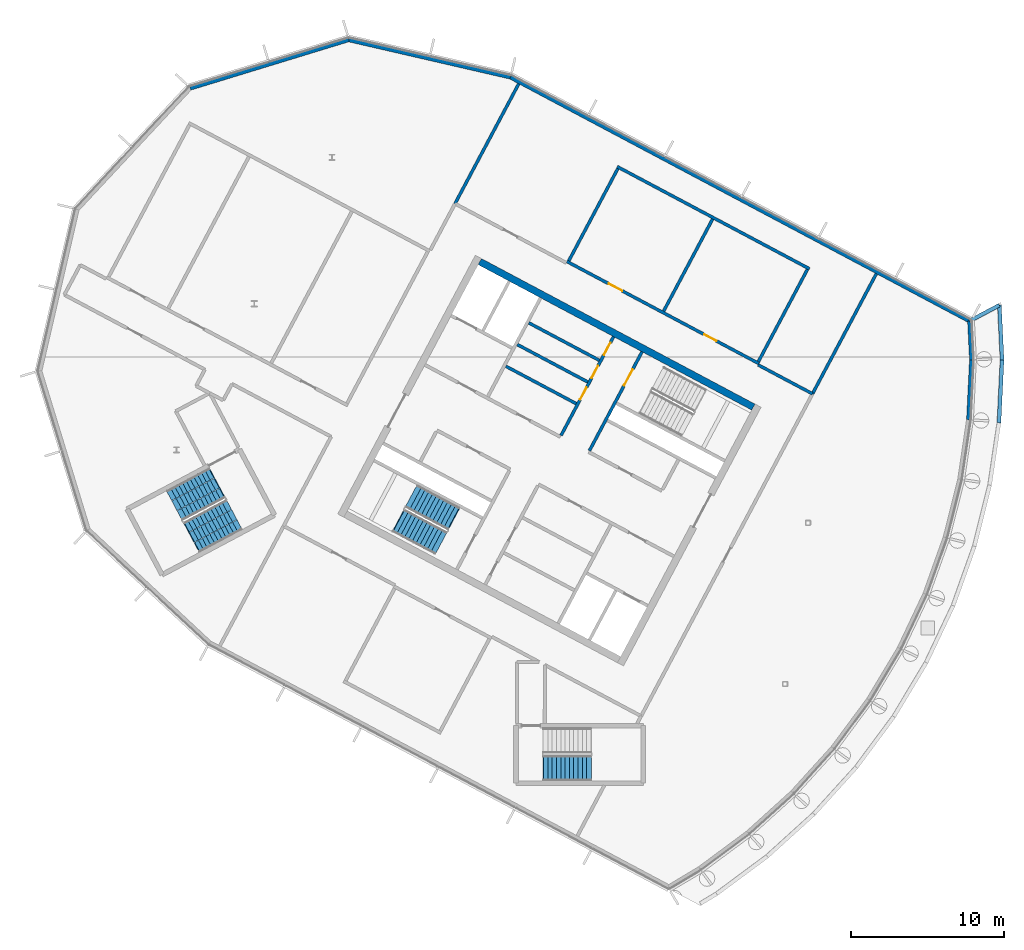
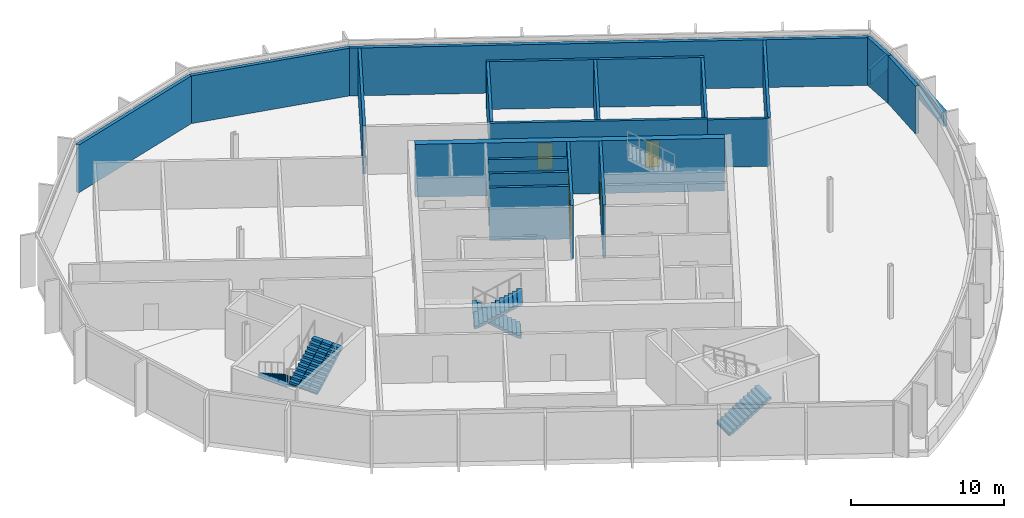
# One storey, part 8 of 16: 22 walls, 6 doors, 5 stair flights, 6 openings, 3 elements without a shape of their own.
"""IFC4 building model written with IfcOpenShell, lengths in metres."""

from ifc_helpers import new_model, si_unit, direction, frame, frame_2d, origin, place, context, subcontext, project, spatial, polyline, rectangle, outline, extrude, material, layer, layer_set, type_object, element, fill, aggregate, save


model = new_model("IFC4")

# Units and contexts
model_context = context("Model", 3, precision=1e-05, world=origin(), true_north=direction((0.0, 1.0)))
body_context = subcontext(model_context, "Body", "Model", "MODEL_VIEW")
ifc_project = project(units=[si_unit("LENGTHUNIT", "METRE"), si_unit("AREAUNIT", "SQUARE_METRE"), si_unit("VOLUMEUNIT", "CUBIC_METRE"), si_unit("PLANEANGLEUNIT", "RADIAN"), si_unit("MASSUNIT", "GRAM", prefix="KILO")], contexts=[model_context])

# Site, building, storey
site_placement = place(None, origin())
site = spatial("IfcSite", under=ifc_project, at=site_placement, CompositionType="ELEMENT")
building_placement = place(site_placement, origin())
building = spatial("IfcBuilding", under=site, at=building_placement, Name="Cormorant Relay Tower", CompositionType="ELEMENT")
storey_placement = place(building_placement, frame((0.0, 0.0, 340.800048828125)))
storey = spatial("IfcBuildingStorey", under=building, at=storey_placement, Name="C4", CompositionType="ELEMENT", Elevation=340.800048828125)

# Walls
ifc_material_1 = material(Name="Concrete 40 MPa", Category="concrete")
ifc_layer_1 = layer(ifc_material_1, 0.199951171875)
ifc_layer_set_1 = layer_set([ifc_layer_1], Name="Core internal wall 200")
wall_type_1 = type_object("IfcWallType", Name="Core internal wall 200", PredefinedType="SOLIDWALL", material=ifc_layer_set_1)
for number, where, z_axis, x_axis, name in (
    (1, (-24.120849609375, 21.093017578125, 0.0), (0.0, 0.0, 1.0), (-0.882953967957, 0.469459572775, 0.0), "C4 core A shaft and room wall"),
    (2, (-24.8720703125, 19.680419921875, 0.0), (0.0, 0.0, 1.0), (-0.882953967957, 0.469459572775, 0.0), "C4 core A shaft and room wall"),
):
    element("IfcWall", number, at=place(storey_placement, frame(where, z_axis=z_axis, x_axis=x_axis)), inside=storey, type_object=wall_type_1, Name=name, PredefinedType="SOLIDWALL", context=body_context, shape_type="SweptSolid", body=[
        extrude(rectangle(XDim=5.199951171875, YDim=0.199951171875, at=frame_2d((2.60009765625, 0.0))), origin(), (0.0, 0.0, 1.0), 4.199951171875),
    ])

# Wall, opening, door
ifc_material_2 = material(Name="Concrete 50 MPa", Category="concrete")
ifc_layer_2 = layer(ifc_material_2, 0.199951171875)
ifc_layer_set_2 = layer_set([ifc_layer_2], Name="Core shaft wall 200")
wall_type_2 = type_object("IfcWallType", Name="Core shaft wall 200", PredefinedType="SHEAR", material=ifc_layer_set_2)
wall_1_placement = place(storey_placement, frame((-21.333251953125, 21.6494140625, 0.0), z_axis=(0.0, 0.0, 1.0), x_axis=(-0.469494272526, -0.882935517501, 0.0)))
wall_1 = element("IfcWall", 3, at=wall_1_placement, inside=storey, type_object=wall_type_2, Name="C4 core A shaft wall", PredefinedType="SHEAR", context=body_context, shape_type="SweptSolid", body=[
    extrude(rectangle(XDim=7.2998046875, YDim=0.199951171875, at=frame_2d((3.64990234375, 0.0))), origin(), (0.0, 0.0, 1.0), 4.199951171875),
])
opening_1_placement = place(wall_1_placement, frame((1.300048828125, 0.0, 0.0)))
opening_1 = element("IfcOpeningElement", 4, at=opening_1_placement, cuts=wall_1, Name="Opening CDB-044", PredefinedType="OPENING", context=body_context, shape_type="SweptSolid", body=[
    extrude(rectangle(XDim=1.199951171875, YDim=2.10009765625, at=frame_2d((0.60009765625, 1.050048828125))), frame((0.0, 0.10986328125, 0.0), z_axis=(0.0, -1.0, 0.0), x_axis=(1.0, 0.0, 0.0)), (0.0, 0.0, 1.0), 0.219970703125),
])
ifc_material_3 = material(Name="Steel fire door", Category="steel")
door_type_1 = type_object("IfcDoorType", Name="Core stair door 1200x2100", OperationType="SINGLE_SWING_LEFT", PredefinedType="DOOR", material=ifc_material_3)
door_1_placement = place(opening_1_placement, origin())
door_1 = element("IfcDoor", 5, at=door_1_placement, inside=storey, type_object=door_type_1, Name="Core stair door 1200x2100", OperationType="SINGLE_SWING_RIGHT", OverallHeight=2.10009765625, OverallWidth=1.199951171875, PredefinedType="DOOR", context=body_context, shape_type="SweptSolid", body=[
    extrude(rectangle(XDim=1.199951171875, YDim=2.10009765625, at=frame_2d((0.60009765625, 1.050048828125))), frame((0.0, 0.02490234375, 0.0), z_axis=(0.0, -1.0, 0.0), x_axis=(1.0, 0.0, 0.0)), (0.0, 0.0, 1.0), 0.050048828125),
])
fill(opening_1, door_1)

# Wall, openings, doors
wall_2_placement = place(storey_placement, frame((-23.1875, 22.635498046875, 0.0), z_axis=(0.0, 0.0, 1.0), x_axis=(-0.469454336211, -0.882956752176, 0.0)))
wall_2 = element("IfcWall", 6, at=wall_2_placement, inside=storey, type_object=wall_type_2, Name="C4 core A shaft wall", PredefinedType="SHEAR", context=body_context, shape_type="SweptSolid", body=[
    extrude(rectangle(XDim=7.300048828125, YDim=0.199951171875, at=frame_2d((3.64990234375, 0.0))), origin(), (0.0, 0.0, 1.0), 4.199951171875),
])
opening_2_placement = place(wall_2_placement, frame((0.449951171875, 0.0, 0.0)))
opening_2 = element("IfcOpeningElement", 7, at=opening_2_placement, cuts=wall_2, Name="Opening CDD-384", PredefinedType="OPENING", context=body_context, shape_type="SweptSolid", body=[
    extrude(rectangle(XDim=0.89990234375, YDim=2.10009765625, at=frame_2d((0.449951171875, 1.050048828125))), frame((0.0, 0.10986328125, 0.0), z_axis=(0.0, -1.0, 0.0), x_axis=(1.0, 0.0, 0.0)), (0.0, 0.0, 1.0), 0.219970703125),
])
opening_3_placement = place(wall_2_placement, frame((2.14990234375, 0.0, 0.0)))
opening_3 = element("IfcOpeningElement", 8, at=opening_3_placement, cuts=wall_2, Name="Opening CDD-385", PredefinedType="OPENING", context=body_context, shape_type="SweptSolid", body=[
    extrude(rectangle(XDim=0.89990234375, YDim=2.10009765625, at=frame_2d((0.449951171875, 1.050048828125))), frame((0.0, 0.10986328125, 0.0), z_axis=(0.0, -1.0, 0.0), x_axis=(1.0, 0.0, 0.0)), (0.0, 0.0, 1.0), 0.219970703125),
])
opening_4_placement = place(wall_2_placement, frame((3.75, 0.0, 0.0)))
opening_4 = element("IfcOpeningElement", 9, at=opening_4_placement, cuts=wall_2, Name="Opening CDD-386", PredefinedType="OPENING", context=body_context, shape_type="SweptSolid", body=[
    extrude(rectangle(XDim=0.89990234375, YDim=2.10009765625, at=frame_2d((0.449951171875, 1.050048828125))), frame((0.0, 0.10986328125, 0.0), z_axis=(0.0, -1.0, 0.0), x_axis=(1.0, 0.0, 0.0)), (0.0, 0.0, 1.0), 0.219970703125),
])
ifc_material_4 = material(Name="Steel fire door", Category="steel")
door_type_2 = type_object("IfcDoorType", Name="Core room door 900x2100", OperationType="SINGLE_SWING_LEFT", PredefinedType="DOOR", material=ifc_material_4)
door_2_placement = place(opening_2_placement, origin())
door_2 = element("IfcDoor", 10, at=door_2_placement, inside=storey, type_object=door_type_2, Name="Core room door 900x2100", OperationType="SINGLE_SWING_LEFT", OverallHeight=2.10009765625, OverallWidth=0.89990234375, PredefinedType="DOOR", context=body_context, shape_type="SweptSolid", body=[
    extrude(rectangle(XDim=0.89990234375, YDim=2.10009765625, at=frame_2d((0.449951171875, 1.050048828125))), frame((0.0, 0.02490234375, 0.0), z_axis=(0.0, -1.0, 0.0), x_axis=(1.0, 0.0, 0.0)), (0.0, 0.0, 1.0), 0.050048828125),
])
fill(opening_2, door_2)
door_3_placement = place(opening_3_placement, origin())
door_3 = element("IfcDoor", 11, at=door_3_placement, inside=storey, type_object=door_type_2, Name="Core room door 900x2100", OperationType="SINGLE_SWING_LEFT", OverallHeight=2.10009765625, OverallWidth=0.89990234375, PredefinedType="DOOR", context=body_context, shape_type="SweptSolid", body=[
    extrude(rectangle(XDim=0.89990234375, YDim=2.10009765625, at=frame_2d((0.449951171875, 1.050048828125))), frame((0.0, 0.02490234375, 0.0), z_axis=(0.0, -1.0, 0.0), x_axis=(1.0, 0.0, 0.0)), (0.0, 0.0, 1.0), 0.050048828125),
])
fill(opening_3, door_3)
door_4_placement = place(opening_4_placement, origin())
door_4 = element("IfcDoor", 12, at=door_4_placement, inside=storey, type_object=door_type_2, Name="Core room door 900x2100", OperationType="SINGLE_SWING_LEFT", OverallHeight=2.10009765625, OverallWidth=0.89990234375, PredefinedType="DOOR", context=body_context, shape_type="SweptSolid", body=[
    extrude(rectangle(XDim=0.89990234375, YDim=2.10009765625, at=frame_2d((0.449951171875, 1.050048828125))), frame((0.0, 0.02490234375, 0.0), z_axis=(0.0, -1.0, 0.0), x_axis=(1.0, 0.0, 0.0)), (0.0, 0.0, 1.0), 0.050048828125),
])
fill(opening_4, door_4)

# Walls
wall_3_placement = place(storey_placement, frame((-25.623046875, 18.267578125, 0.0), z_axis=(0.0, 0.0, 1.0), x_axis=(-0.882953967957, 0.469459572775, 0.0)))
element("IfcWall", 13, at=wall_3_placement, inside=storey, type_object=wall_type_2, Name="C4 core A shaft wall", PredefinedType="SHEAR", context=body_context, shape_type="SweptSolid", body=[
    extrude(rectangle(XDim=5.199951171875, YDim=0.199951171875, at=frame_2d((2.60009765625, 0.0))), origin(), (0.0, 0.0, 1.0), 4.199951171875),
])
ifc_material_5 = material(Name="Concrete 50 MPa", Category="concrete")
ifc_layer_3 = layer(ifc_material_5, 0.449951171875)
ifc_layer_set_3 = layer_set([ifc_layer_3], Name="Core wall 450")
wall_type_3 = type_object("IfcWallType", Name="Core wall 450", PredefinedType="SHEAR", material=ifc_layer_set_3)
wall_4_placement = place(storey_placement, frame((-14.07568359375, 18.04541015625, 0.0), z_axis=(0.0, 0.0, 1.0), x_axis=(-0.882947755831, 0.46947125628, 0.0)))
element("IfcWall", 14, at=wall_4_placement, inside=storey, type_object=wall_type_3, Name="C4 core A wall", PredefinedType="SHEAR", context=body_context, shape_type="SweptSolid", body=[
    extrude(rectangle(XDim=20.2001953125, YDim=0.449951171875, at=frame_2d((10.10009765625, 0.0))), origin(), (0.0, 0.0, 1.0), 4.199951171875),
])
ifc_material_6 = material(Name="Concrete 30 MPa block wall", Category="concrete")
ifc_layer_4 = layer(ifc_material_6, 0.199951171875)
ifc_layer_set_4 = layer_set([ifc_layer_4], Name="Crown plant room wall 200")
wall_type_4 = type_object("IfcWallType", Name="Crown plant room wall 200", PredefinedType="PARTITIONING", material=ifc_layer_set_4)
wall_5_placement = place(storey_placement, frame((-10.41650390625, 27.057373046875, 0.0), z_axis=(0.0, 0.0, 1.0), x_axis=(-0.882947150019, 0.469472395646, 0.0)))
element("IfcWall", 15, at=wall_5_placement, inside=storey, type_object=wall_type_4, Name="Plant room wall", PredefinedType="PARTITIONING", context=body_context, shape_type="SweptSolid", body=[
    extrude(rectangle(XDim=14.199951171875, YDim=0.199951171875, at=frame_2d((7.10009765625, 0.0))), origin(), (0.0, 0.0, 1.0), 3.7998046875),
])

# Wall, openings, doors
wall_6_placement = place(storey_placement, frame((-13.702880859375, 20.876708984375, 0.0), z_axis=(0.0, 0.0, 1.0), x_axis=(-0.882947150019, 0.469472395646, 0.0)))
wall_6 = element("IfcWall", 16, at=wall_6_placement, inside=storey, type_object=wall_type_4, Name="Plant room wall", PredefinedType="PARTITIONING", context=body_context, shape_type="SweptSolid", body=[
    extrude(rectangle(XDim=14.199951171875, YDim=0.199951171875, at=frame_2d((7.10009765625, 0.0))), origin(), (0.0, 0.0, 1.0), 3.7998046875),
])
opening_5_placement = place(wall_6_placement, frame((3.14990234375, 0.0, 0.0)))
opening_5 = element("IfcOpeningElement", 17, at=opening_5_placement, cuts=wall_6, Name="Opening CRD4-001", PredefinedType="OPENING", context=body_context, shape_type="SweptSolid", body=[
    extrude(rectangle(XDim=0.89990234375, YDim=2.10009765625, at=frame_2d((0.449951171875, 1.050048828125))), frame((0.0, 0.10986328125, 0.0), z_axis=(0.0, -1.0, 0.0), x_axis=(1.0, 0.0, 0.0)), (0.0, 0.0, 1.0), 0.219970703125),
])
opening_6_placement = place(wall_6_placement, frame((10.10009765625, 0.0, 0.0)))
opening_6 = element("IfcOpeningElement", 18, at=opening_6_placement, cuts=wall_6, Name="Opening CRD1-002", PredefinedType="OPENING", context=body_context, shape_type="SweptSolid", body=[
    extrude(rectangle(XDim=1.0, YDim=2.10009765625, at=frame_2d((0.5, 1.050048828125))), frame((0.0, 0.10986328125, 0.0), z_axis=(0.0, -1.0, 0.0), x_axis=(1.0, 0.0, 0.0)), (0.0, 0.0, 1.0), 0.219970703125),
])
ifc_material_7 = material(Name="Galvanised sheet steel ASTM A653 framed door leaf", Category="steel")
door_type_3 = type_object("IfcDoorType", Name="Crown door single 1000", OperationType="SINGLE_SWING_LEFT", PredefinedType="DOOR", material=ifc_material_7)
door_5_placement = place(opening_6_placement, frame((1.0, 0.0, 0.0), z_axis=(0.0, 0.0, 1.0), x_axis=(-1.0, 0.0, 0.0)))
door_5 = element("IfcDoor", 19, at=door_5_placement, inside=storey, type_object=door_type_3, Name="Chiller plant room door", OperationType="SINGLE_SWING_RIGHT", OverallHeight=2.10009765625, OverallWidth=1.0, PredefinedType="DOOR", context=body_context, shape_type="SweptSolid", body=[
    extrude(rectangle(XDim=1.0, YDim=2.10009765625, at=frame_2d((0.5, 1.050048828125))), frame((0.0, 0.02490234375, 0.0), z_axis=(0.0, -1.0, 0.0), x_axis=(1.0, 0.0, 0.0)), (0.0, 0.0, 1.0), 0.050048828125),
])
fill(opening_6, door_5)
ifc_material_8 = material(Name="Galvanised sheet steel ASTM A653 framed door leaf", Category="steel")
door_type_4 = type_object("IfcDoorType", Name="Crown door single 900", OperationType="SINGLE_SWING_LEFT", PredefinedType="DOOR", material=ifc_material_8)
door_6_placement = place(opening_5_placement, frame((0.89990234375, 0.0, 0.0), z_axis=(0.0, 0.0, 1.0), x_axis=(-1.0, 0.0, 0.0)))
door_6 = element("IfcDoor", 20, at=door_6_placement, inside=storey, type_object=door_type_4, Name="Pump room door", OperationType="SINGLE_SWING_RIGHT", OverallHeight=2.10009765625, OverallWidth=0.89990234375, PredefinedType="DOOR", context=body_context, shape_type="SweptSolid", body=[
    extrude(rectangle(XDim=0.89990234375, YDim=2.10009765625, at=frame_2d((0.449951171875, 1.050048828125))), frame((0.0, 0.02490234375, 0.0), z_axis=(0.0, -1.0, 0.0), x_axis=(1.0, 0.0, 0.0)), (0.0, 0.0, 1.0), 0.050048828125),
])
fill(opening_5, door_6)

# Walls
for number, where, z_axis, x_axis, name in (
    (21, (-10.5517578125, 27.01611328125, 0.0), (0.0, 0.0, 1.0), (-0.469462324734, -0.882952504756, 0.0), "Plant room wall"),
    (22, (-16.732421875, 30.302490234375, 0.0), (0.0, 0.0, 1.0), (-0.469462324734, -0.882952504756, 0.0), "Plant room wall"),
):
    element("IfcWall", number, at=place(storey_placement, frame(where, z_axis=z_axis, x_axis=x_axis)), inside=storey, type_object=wall_type_4, Name=name, PredefinedType="PARTITIONING", context=body_context, shape_type="SweptSolid", body=[
        extrude(rectangle(XDim=6.800048828125, YDim=0.199951171875, at=frame_2d((3.39990234375, 0.0))), origin(), (0.0, 0.0, 1.0), 3.7998046875),
    ])
wall_7_placement = place(storey_placement, frame((-22.9130859375, 33.588623046875, 0.0), z_axis=(0.0, 0.0, 1.0), x_axis=(-0.469477207229, -0.882944591632, 0.0)))
element("IfcWall", 23, at=wall_7_placement, inside=storey, type_object=wall_type_4, Name="Plant room wall", PredefinedType="PARTITIONING", context=body_context, shape_type="SweptSolid", body=[
    extrude(rectangle(XDim=6.7998046875, YDim=0.199951171875, at=frame_2d((3.39990234375, 0.0))), origin(), (0.0, 0.0, 1.0), 3.7998046875),
])
wall_8_placement = place(storey_placement, frame((-13.767578125, 20.7978515625, 0.0), z_axis=(0.0, 0.0, 1.0), x_axis=(0.882960769226, -0.469446780805, 0.0)))
element("IfcWall", 24, at=wall_8_placement, inside=storey, type_object=wall_type_4, Name="Plant room wall", PredefinedType="PARTITIONING", context=body_context, shape_type="SweptSolid", body=[
    extrude(rectangle(XDim=4.02001953125, YDim=0.199951171875, at=frame_2d((2.010009765625, 0.0))), origin(), (0.0, 0.0, 1.0), 3.7998046875),
])
wall_9_placement = place(storey_placement, frame((-29.3740234375, 39.119140625, 0.0), z_axis=(0.0, 0.0, 1.0), x_axis=(-0.469467804358, -0.88294959124, 0.0)))
element("IfcWall", 25, at=wall_9_placement, inside=storey, type_object=wall_type_4, Name="Plant room wall", PredefinedType="PARTITIONING", context=body_context, shape_type="SweptSolid", body=[
    extrude(rectangle(XDim=8.86962890625, YDim=0.199951171875, at=frame_2d((4.434814453125, 0.0))), origin(), (0.0, 0.0, 1.0), 3.7998046875),
])
wall_10_placement = place(storey_placement, frame((-6.057861328125, 26.737060546875, 0.0), z_axis=(0.0, 0.0, 1.0), x_axis=(-0.46947272598, -0.882946974377, 0.0)))
element("IfcWall", 26, at=wall_10_placement, inside=storey, type_object=wall_type_4, Name="Plant room wall", PredefinedType="PARTITIONING", context=body_context, shape_type="SweptSolid", body=[
    extrude(rectangle(XDim=8.863525390625, YDim=0.199951171875, at=frame_2d((4.431640625, 0.0))), origin(), (0.0, 0.0, 1.0), 3.7998046875),
])
ifc_material_9 = material(Name="Bronze cladding on Concrete 30 MPa block wall", Category="concrete")
ifc_layer_5 = layer(ifc_material_9, 0.25)
ifc_layer_set_5 = layer_set([ifc_layer_5], Name="Crown wall 250")
wall_type_5 = type_object("IfcWallType", Name="Crown wall 250", PredefinedType="STANDARD", material=ifc_layer_set_5)
wall_11_placement = place(storey_placement, frame((-50.79248046875, 38.825439453125, 0.0), z_axis=(0.0, 0.0, 1.0), x_axis=(0.95630419349, 0.292373544482, 0.0)))
element("IfcWall", 27, at=wall_11_placement, inside=storey, type_object=wall_type_5, Name="Crown wall C4", PredefinedType="STANDARD", context=body_context, shape_type="SweptSolid", body=[
    extrude(rectangle(XDim=10.8037109375, YDim=0.25, at=frame_2d((5.40185546875, 0.0))), origin(), (0.0, 0.0, 1.0), 3.7998046875),
])
wall_12_placement = place(storey_placement, frame((-40.4609375, 41.984130859375, 0.0), z_axis=(0.0, 0.0, 1.0), x_axis=(0.974369134847, -0.224955082309, 0.0)))
element("IfcWall", 28, at=wall_12_placement, inside=storey, type_object=wall_type_5, Name="Crown wall C4", PredefinedType="STANDARD", context=body_context, shape_type="SweptSolid", body=[
    extrude(rectangle(XDim=10.8203125, YDim=0.25, at=frame_2d((5.41015625, 0.0))), origin(), (0.0, 0.0, 1.0), 3.7998046875),
])
wall_13_placement = place(storey_placement, frame((-29.91796875, 39.550048828125, 0.0), z_axis=(0.0, 0.0, 1.0), x_axis=(0.88318378771, -0.469027075047, 0.0)))
element("IfcWall", 29, at=wall_13_placement, inside=storey, type_object=wall_type_5, Name="Crown wall C4", PredefinedType="STANDARD", context=body_context, shape_type="SweptSolid", body=[
    extrude(rectangle(XDim=33.8955078125, YDim=0.25, at=frame_2d((16.94775390625, 0.0))), origin(), (0.0, 0.0, 1.0), 3.7998046875),
])
wall_14_placement = place(storey_placement, frame((0.01806640625, 23.652099609375, 0.0), z_axis=(0.0, 0.0, 1.0), x_axis=(0.049042019316, -0.998796716225, 0.0)))
element("IfcWall", 30, at=wall_14_placement, inside=storey, type_object=wall_type_5, Name="Crown wall C4", PredefinedType="STANDARD", context=body_context, shape_type="SweptSolid", body=[
    extrude(rectangle(XDim=2.52880859375, YDim=0.25, at=frame_2d((1.264404296875, 0.0))), origin(), (0.0, 0.0, 1.0), 3.7998046875),
])
wall_15_placement = place(storey_placement, frame((0.14208984375, 21.126220703125, 0.0), z_axis=(0.0, 0.0, 1.0), x_axis=(-0.049038313571, -0.998796898174, 0.0)))
element("IfcWall", 31, at=wall_15_placement, inside=storey, type_object=wall_type_5, Name="Crown wall C4", PredefinedType="STANDARD", context=body_context, shape_type="SweptSolid", body=[
    extrude(rectangle(XDim=3.9130859375, YDim=0.25, at=frame_2d((1.95654296875, 0.0))), origin(), (0.0, 0.0, 1.0), 3.7998046875),
])
ifc_material_10 = material(Name="Bronze cladding on Concrete 30 MPa block wall", Category="concrete")
ifc_layer_6 = layer(ifc_material_10, 0.25)
ifc_layer_set_6 = layer_set([ifc_layer_6], Name="Parapet 250")
wall_type_6 = type_object("IfcWallType", Name="Parapet 250", PredefinedType="PARAPET", material=ifc_layer_set_6)
wall_16_placement = place(storey_placement, frame((0.01806640625, 23.652099609375, 0.0), z_axis=(0.0, 0.0, 1.0), x_axis=(0.882955298869, 0.469457069602, 0.0)))
element("IfcWall", 32, at=wall_16_placement, inside=storey, type_object=wall_type_6, Name="Terrace parapet C3", PredefinedType="PARAPET", context=body_context, shape_type="SweptSolid", body=[
    extrude(rectangle(XDim=2.20751953125, YDim=0.25, at=frame_2d((1.103759765625, 0.0))), origin(), (0.0, 0.0, 1.0), 1.199951171875),
])
wall_17_placement = place(storey_placement, frame((1.96728515625, 24.6884765625, 0.0), z_axis=(0.0, 0.0, 1.0), x_axis=(0.049012370013, -0.998798171597, 0.0)))
element("IfcWall", 33, at=wall_17_placement, inside=storey, type_object=wall_type_6, Name="Terrace parapet C3", PredefinedType="PARAPET", context=body_context, shape_type="SweptSolid", body=[
    extrude(rectangle(XDim=3.566650390625, YDim=0.25, at=frame_2d((1.783203125, 0.0))), origin(), (0.0, 0.0, 1.0), 1.199951171875),
])
wall_18_placement = place(storey_placement, frame((2.14208984375, 21.126220703125, 0.0), z_axis=(0.0, 0.0, 1.0), x_axis=(-0.04901311334, -0.998798135121, 0.0)))
element("IfcWall", 34, at=wall_18_placement, inside=storey, type_object=wall_type_6, Name="Terrace parapet C3", PredefinedType="PARAPET", context=body_context, shape_type="SweptSolid", body=[
    extrude(rectangle(XDim=4.109375, YDim=0.25, at=frame_2d((2.0546875, 0.0))), origin(), (0.0, 0.0, 1.0), 1.199951171875),
])

# Stair, stair flights
ifc_material_11 = material(Name="Concrete 40 MPa", Category="concrete")
stair_type_1 = type_object("IfcStairType", Name="Exit stair 1500", PredefinedType="HALF_TURN_STAIR", material=ifc_material_11)
stair_1_placement = place(storey_placement, origin())
stair_1 = element("IfcStair", 35, at=stair_1_placement, inside=storey, type_object=stair_type_1, Name="C4 Stair", PredefinedType="HALF_TURN_STAIR")
ifc_material_12 = material(Name="Concrete 40 MPa", Category="concrete")
stair_flight_type_1 = type_object("IfcStairFlightType", Name="Exit stair flight 1650", PredefinedType="STRAIGHT", material=ifc_material_12)
stair_flight_1_placement = place(storey_placement, frame((-33.62841796875, 10.773681640625, 0.0), z_axis=(0.0, 0.0, 1.0), x_axis=(-0.882947592859, 0.469471562786, 0.0)))
stair_flight_1 = element("IfcStairFlight", 36, at=stair_flight_1_placement, type_object=stair_flight_type_1, Name="A2 flight 1", NumberOfRisers=12, NumberOfTreads=11, PredefinedType="STRAIGHT", RiserHeight=0.175, TreadLength=0.28, context=body_context, shape_type="SweptSolid", body=[
    extrude(outline(polyline([(-0.050048828125, -0.080078125), (-0.050048828125, 0.0), (0.0, 0.0), (0.0, 0.175048828125), (0.280029296875, 0.175048828125), (0.280029296875, 0.35009765625), (0.56005859375, 0.35009765625), (0.56005859375, 0.52490234375), (0.840087890625, 0.52490234375), (0.840087890625, 0.699951171875), (1.1201171875, 0.699951171875), (1.1201171875, 0.875), (1.39990234375, 0.875), (1.39990234375, 1.050048828125), (1.679931640625, 1.050048828125), (1.679931640625, 1.22509765625), (1.9599609375, 1.22509765625), (1.9599609375, 1.39990234375), (2.239990234375, 1.39990234375), (2.239990234375, 1.574951171875), (2.52001953125, 1.574951171875), (2.52001953125, 1.75), (2.800048828125, 1.75), (2.800048828125, 1.925048828125), (3.080078125, 1.925048828125), (3.130126953125, 1.925048828125), (3.130126953125, 1.748291015625), (3.080078125, 1.748291015625), (0.28271484375, 0.0), (-0.050048828125, -0.080078125)])), frame((0.0, 0.824951171875, 0.0), z_axis=(0.0, -1.0, 0.0), x_axis=(1.0, 0.0, 0.0)), (0.0, 0.0, 1.0), 1.64990234375),
])
stair_flight_2_placement = place(storey_placement, frame((-37.19287109375, 10.63037109375, 2.099853515625), z_axis=(0.0, 0.0, 1.0), x_axis=(0.882947592859, -0.469471562786, 0.0)))
stair_flight_2 = element("IfcStairFlight", 37, at=stair_flight_2_placement, type_object=stair_flight_type_1, Name="A2 flight 2", NumberOfRisers=12, NumberOfTreads=11, PredefinedType="STRAIGHT", RiserHeight=0.175, TreadLength=0.28, context=body_context, shape_type="SweptSolid", body=[
    extrude(outline(polyline([(-0.050048828125, -0.080078125), (-0.050048828125, 0.0), (0.0, 0.0), (0.0, 0.175048828125), (0.280029296875, 0.175048828125), (0.280029296875, 0.35009765625), (0.56005859375, 0.35009765625), (0.56005859375, 0.52490234375), (0.840087890625, 0.52490234375), (0.840087890625, 0.699951171875), (1.1201171875, 0.699951171875), (1.1201171875, 0.875), (1.39990234375, 0.875), (1.39990234375, 1.050048828125), (1.679931640625, 1.050048828125), (1.679931640625, 1.22509765625), (1.9599609375, 1.22509765625), (1.9599609375, 1.39990234375), (2.239990234375, 1.39990234375), (2.239990234375, 1.574951171875), (2.52001953125, 1.574951171875), (2.52001953125, 1.75), (2.800048828125, 1.75), (2.800048828125, 1.925048828125), (3.080078125, 1.925048828125), (3.130126953125, 1.925048828125), (3.130126953125, 1.748291015625), (3.080078125, 1.748291015625), (0.28271484375, 0.0), (-0.050048828125, -0.080078125)])), frame((0.0, 0.824951171875, 0.0), z_axis=(0.0, -1.0, 0.0), x_axis=(1.0, 0.0, 0.0)), (0.0, 0.0, 1.0), 1.64990234375),
])
aggregate(stair_1, [stair_flight_1, stair_flight_2])

# Stair, stair flight
stair_2_placement = place(storey_placement, origin())
stair_2 = element("IfcStair", 38, at=stair_2_placement, inside=storey, type_object=stair_type_1, Name="C4 Stair", PredefinedType="HALF_TURN_STAIR")
stair_flight_3_placement = place(storey_placement, frame((-27.75, -5.5, 0.0), z_axis=(0.0, 0.0, 1.0), x_axis=(1.0, 0.0, 0.0)))
stair_flight_3 = element("IfcStairFlight", 39, at=stair_flight_3_placement, type_object=stair_flight_type_1, Name="RC1 flight 1", NumberOfRisers=12, NumberOfTreads=11, PredefinedType="STRAIGHT", RiserHeight=0.175, TreadLength=0.28, context=body_context, shape_type="SweptSolid", body=[
    extrude(outline(polyline([(-0.050048828125, -0.080078125), (-0.050048828125, 0.0), (0.0, 0.0), (0.0, 0.175048828125), (0.280029296875, 0.175048828125), (0.280029296875, 0.35009765625), (0.56005859375, 0.35009765625), (0.56005859375, 0.52490234375), (0.840087890625, 0.52490234375), (0.840087890625, 0.699951171875), (1.1201171875, 0.699951171875), (1.1201171875, 0.875), (1.39990234375, 0.875), (1.39990234375, 1.050048828125), (1.679931640625, 1.050048828125), (1.679931640625, 1.22509765625), (1.9599609375, 1.22509765625), (1.9599609375, 1.39990234375), (2.239990234375, 1.39990234375), (2.239990234375, 1.574951171875), (2.52001953125, 1.574951171875), (2.52001953125, 1.75), (2.800048828125, 1.75), (2.800048828125, 1.925048828125), (3.080078125, 1.925048828125), (3.130126953125, 1.925048828125), (3.130126953125, 1.748291015625), (3.080078125, 1.748291015625), (0.28271484375, 0.0), (-0.050048828125, -0.080078125)])), frame((0.0, 0.824951171875, 0.0), z_axis=(0.0, -1.0, 0.0), x_axis=(1.0, 0.0, 0.0)), (0.0, 0.0, 1.0), 1.64990234375),
])
aggregate(stair_2, [stair_flight_3])

# Stair, stair flights
ifc_material_13 = material(Name="Concrete 40 MPa", Category="concrete")
stair_type_2 = type_object("IfcStairType", Name="Remote exit stair 2200", PredefinedType="HALF_TURN_STAIR", material=ifc_material_13)
stair_3_placement = place(storey_placement, origin())
stair_3 = element("IfcStair", 40, at=stair_3_placement, inside=storey, type_object=stair_type_2, Name="C4 Stair", PredefinedType="HALF_TURN_STAIR")
ifc_material_14 = material(Name="Concrete 40 MPa", Category="concrete")
stair_flight_type_2 = type_object("IfcStairFlightType", Name="Remote exit stair flight 2200", PredefinedType="STRAIGHT", material=ifc_material_14)
stair_flight_4_placement = place(storey_placement, frame((-49.062255859375, 13.08251953125, 0.0), z_axis=(0.0, 0.0, 1.0), x_axis=(-0.882947502727, -0.4694717323, 0.0)))
stair_flight_4 = element("IfcStairFlight", 41, at=stair_flight_4_placement, type_object=stair_flight_type_2, Name="RP1 flight 1", NumberOfRisers=12, NumberOfTreads=11, PredefinedType="STRAIGHT", RiserHeight=0.175, TreadLength=0.28, context=body_context, shape_type="SweptSolid", body=[
    extrude(outline(polyline([(-0.050048828125, -0.080078125), (-0.050048828125, 0.0), (0.0, 0.0), (0.0, 0.175048828125), (0.280029296875, 0.175048828125), (0.280029296875, 0.35009765625), (0.56005859375, 0.35009765625), (0.56005859375, 0.52490234375), (0.840087890625, 0.52490234375), (0.840087890625, 0.699951171875), (1.1201171875, 0.699951171875), (1.1201171875, 0.875), (1.39990234375, 0.875), (1.39990234375, 1.050048828125), (1.679931640625, 1.050048828125), (1.679931640625, 1.22509765625), (1.9599609375, 1.22509765625), (1.9599609375, 1.39990234375), (2.239990234375, 1.39990234375), (2.239990234375, 1.574951171875), (2.52001953125, 1.574951171875), (2.52001953125, 1.75), (2.800048828125, 1.75), (2.800048828125, 1.925048828125), (3.080078125, 1.925048828125), (3.130126953125, 1.925048828125), (3.130126953125, 1.748291015625), (3.080078125, 1.748291015625), (0.28271484375, 0.0), (-0.050048828125, -0.080078125)])), frame((0.0, 1.10009765625, 0.0), z_axis=(0.0, -1.0, 0.0), x_axis=(1.0, 0.0, 0.0)), (0.0, 0.0, 1.0), 0.719970703125),
    extrude(outline(polyline([(-0.050048828125, -0.080078125), (-0.050048828125, 0.0), (0.0, 0.0), (0.0, 0.175048828125), (0.280029296875, 0.175048828125), (0.280029296875, 0.35009765625), (0.56005859375, 0.35009765625), (0.56005859375, 0.52490234375), (0.840087890625, 0.52490234375), (0.840087890625, 0.699951171875), (1.1201171875, 0.699951171875), (1.1201171875, 0.875), (1.39990234375, 0.875), (1.39990234375, 1.050048828125), (1.679931640625, 1.050048828125), (1.679931640625, 1.22509765625), (1.9599609375, 1.22509765625), (1.9599609375, 1.39990234375), (2.239990234375, 1.39990234375), (2.239990234375, 1.574951171875), (2.52001953125, 1.574951171875), (2.52001953125, 1.75), (2.800048828125, 1.75), (2.800048828125, 1.925048828125), (3.080078125, 1.925048828125), (3.130126953125, 1.925048828125), (3.130126953125, 1.748291015625), (3.080078125, 1.748291015625), (0.28271484375, 0.0), (-0.050048828125, -0.080078125)])), frame((0.0, 0.360107421875, 0.0), z_axis=(0.0, -1.0, 0.0), x_axis=(1.0, 0.0, 0.0)), (0.0, 0.0, 1.0), 0.719970703125),
    extrude(outline(polyline([(-0.050048828125, -0.080078125), (-0.050048828125, 0.0), (0.0, 0.0), (0.0, 0.175048828125), (0.280029296875, 0.175048828125), (0.280029296875, 0.35009765625), (0.56005859375, 0.35009765625), (0.56005859375, 0.52490234375), (0.840087890625, 0.52490234375), (0.840087890625, 0.699951171875), (1.1201171875, 0.699951171875), (1.1201171875, 0.875), (1.39990234375, 0.875), (1.39990234375, 1.050048828125), (1.679931640625, 1.050048828125), (1.679931640625, 1.22509765625), (1.9599609375, 1.22509765625), (1.9599609375, 1.39990234375), (2.239990234375, 1.39990234375), (2.239990234375, 1.574951171875), (2.52001953125, 1.574951171875), (2.52001953125, 1.75), (2.800048828125, 1.75), (2.800048828125, 1.925048828125), (3.080078125, 1.925048828125), (3.130126953125, 1.925048828125), (3.130126953125, 1.748291015625), (3.080078125, 1.748291015625), (0.28271484375, 0.0), (-0.050048828125, -0.080078125)])), frame((0.0, -0.3798828125, 0.0), z_axis=(0.0, -1.0, 0.0), x_axis=(1.0, 0.0, 0.0)), (0.0, 0.0, 1.0), 0.719970703125),
])
stair_flight_5_placement = place(storey_placement, frame((-50.678466796875, 9.5615234375, 2.099853515625), z_axis=(0.0, 0.0, 1.0), x_axis=(0.882947502727, 0.4694717323, 0.0)))
stair_flight_5 = element("IfcStairFlight", 42, at=stair_flight_5_placement, type_object=stair_flight_type_2, Name="RP1 flight 2", NumberOfRisers=12, NumberOfTreads=11, PredefinedType="STRAIGHT", RiserHeight=0.175, TreadLength=0.28, context=body_context, shape_type="SweptSolid", body=[
    extrude(outline(polyline([(-0.050048828125, -0.080078125), (-0.050048828125, 0.0), (0.0, 0.0), (0.0, 0.175048828125), (0.280029296875, 0.175048828125), (0.280029296875, 0.35009765625), (0.56005859375, 0.35009765625), (0.56005859375, 0.52490234375), (0.840087890625, 0.52490234375), (0.840087890625, 0.699951171875), (1.1201171875, 0.699951171875), (1.1201171875, 0.875), (1.39990234375, 0.875), (1.39990234375, 1.050048828125), (1.679931640625, 1.050048828125), (1.679931640625, 1.22509765625), (1.9599609375, 1.22509765625), (1.9599609375, 1.39990234375), (2.239990234375, 1.39990234375), (2.239990234375, 1.574951171875), (2.52001953125, 1.574951171875), (2.52001953125, 1.75), (2.800048828125, 1.75), (2.800048828125, 1.925048828125), (3.080078125, 1.925048828125), (3.130126953125, 1.925048828125), (3.130126953125, 1.748291015625), (3.080078125, 1.748291015625), (0.28271484375, 0.0), (-0.050048828125, -0.080078125)])), frame((0.0, 1.10009765625, 0.0), z_axis=(0.0, -1.0, 0.0), x_axis=(1.0, 0.0, 0.0)), (0.0, 0.0, 1.0), 0.719970703125),
    extrude(outline(polyline([(-0.050048828125, -0.080078125), (-0.050048828125, 0.0), (0.0, 0.0), (0.0, 0.175048828125), (0.280029296875, 0.175048828125), (0.280029296875, 0.35009765625), (0.56005859375, 0.35009765625), (0.56005859375, 0.52490234375), (0.840087890625, 0.52490234375), (0.840087890625, 0.699951171875), (1.1201171875, 0.699951171875), (1.1201171875, 0.875), (1.39990234375, 0.875), (1.39990234375, 1.050048828125), (1.679931640625, 1.050048828125), (1.679931640625, 1.22509765625), (1.9599609375, 1.22509765625), (1.9599609375, 1.39990234375), (2.239990234375, 1.39990234375), (2.239990234375, 1.574951171875), (2.52001953125, 1.574951171875), (2.52001953125, 1.75), (2.800048828125, 1.75), (2.800048828125, 1.925048828125), (3.080078125, 1.925048828125), (3.130126953125, 1.925048828125), (3.130126953125, 1.748291015625), (3.080078125, 1.748291015625), (0.28271484375, 0.0), (-0.050048828125, -0.080078125)])), frame((0.0, 0.360107421875, 0.0), z_axis=(0.0, -1.0, 0.0), x_axis=(1.0, 0.0, 0.0)), (0.0, 0.0, 1.0), 0.719970703125),
    extrude(outline(polyline([(-0.050048828125, -0.080078125), (-0.050048828125, 0.0), (0.0, 0.0), (0.0, 0.175048828125), (0.280029296875, 0.175048828125), (0.280029296875, 0.35009765625), (0.56005859375, 0.35009765625), (0.56005859375, 0.52490234375), (0.840087890625, 0.52490234375), (0.840087890625, 0.699951171875), (1.1201171875, 0.699951171875), (1.1201171875, 0.875), (1.39990234375, 0.875), (1.39990234375, 1.050048828125), (1.679931640625, 1.050048828125), (1.679931640625, 1.22509765625), (1.9599609375, 1.22509765625), (1.9599609375, 1.39990234375), (2.239990234375, 1.39990234375), (2.239990234375, 1.574951171875), (2.52001953125, 1.574951171875), (2.52001953125, 1.75), (2.800048828125, 1.75), (2.800048828125, 1.925048828125), (3.080078125, 1.925048828125), (3.130126953125, 1.925048828125), (3.130126953125, 1.748291015625), (3.080078125, 1.748291015625), (0.28271484375, 0.0), (-0.050048828125, -0.080078125)])), frame((0.0, -0.3798828125, 0.0), z_axis=(0.0, -1.0, 0.0), x_axis=(1.0, 0.0, 0.0)), (0.0, 0.0, 1.0), 0.719970703125),
])
aggregate(stair_3, [stair_flight_4, stair_flight_5])

save(model, "model.ifc")
